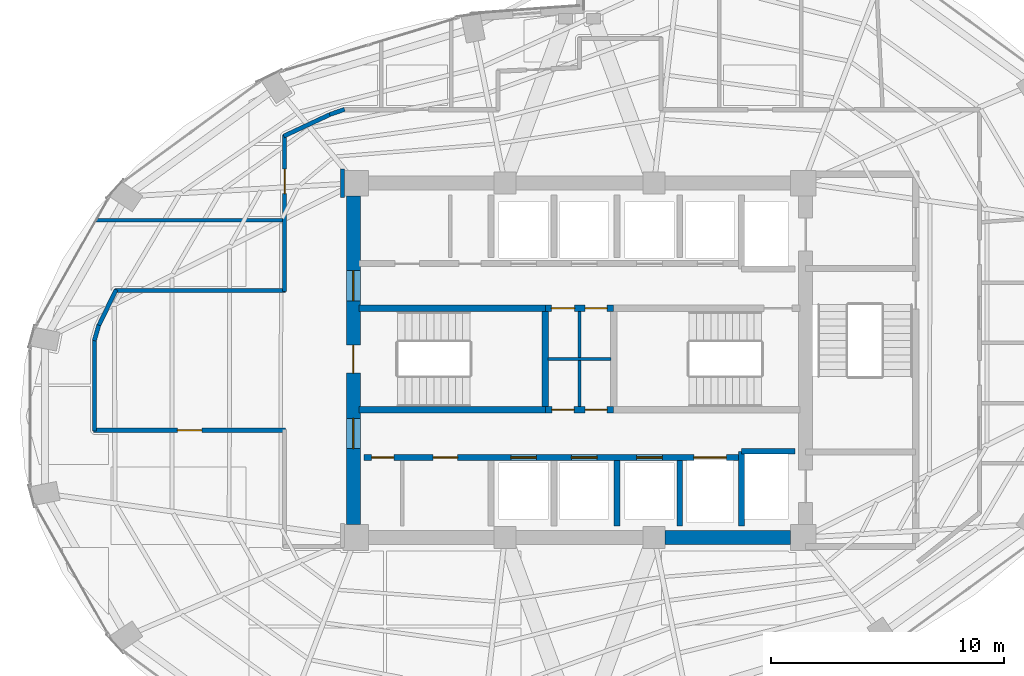
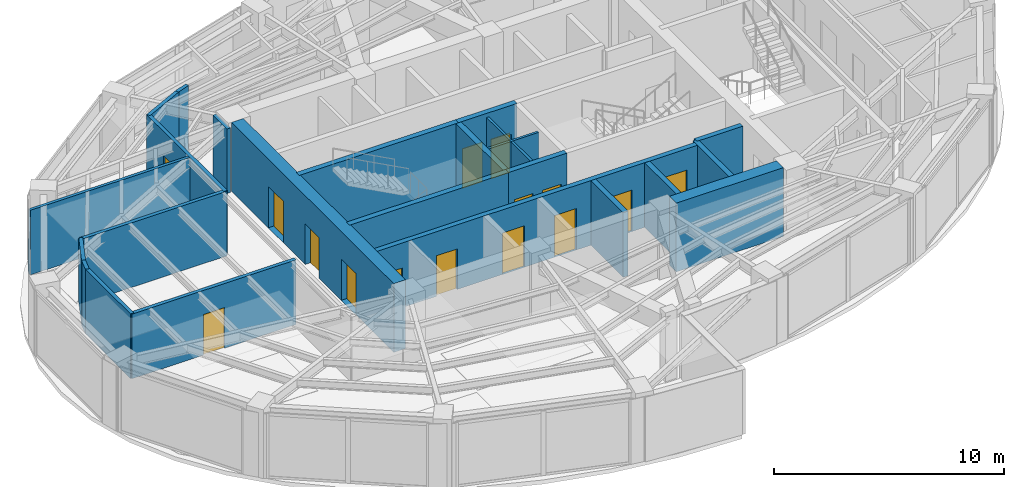
# One storey, part 16 of 20: 24 walls, 15 doors, 15 openings.
"""IFC4 building model written with IfcOpenShell, lengths in metres."""

from ifc_helpers import new_model, si_unit, direction, frame, frame_2d, origin, place, context, subcontext, project, spatial, rectangle, extrude, material, layer, layer_set, type_object, element, fill, save


model = new_model("IFC4")

# Units and contexts
model_context = context("Model", 3, precision=1e-05, world=origin(), true_north=direction((0.0, 1.0)))
body_context = subcontext(model_context, "Body", "Model", "MODEL_VIEW")
ifc_project = project(units=[si_unit("LENGTHUNIT", "METRE"), si_unit("AREAUNIT", "SQUARE_METRE"), si_unit("VOLUMEUNIT", "CUBIC_METRE"), si_unit("PLANEANGLEUNIT", "RADIAN"), si_unit("MASSUNIT", "GRAM", prefix="KILO")], contexts=[model_context])

# Site, building, storey
site_placement = place(None, origin())
site = spatial("IfcSite", under=ifc_project, at=site_placement, CompositionType="ELEMENT")
building_placement = place(site_placement, origin())
building = spatial("IfcBuilding", under=site, at=building_placement, Name="Lazwardi Medical Tower", CompositionType="ELEMENT")
storey_placement = place(building_placement, frame((0.0, 0.0, 160.176025390625)))
storey = spatial("IfcBuildingStorey", under=building, at=storey_placement, Name="L41", CompositionType="ELEMENT", Elevation=160.176025390625)

# Walls
ifc_material_1 = material(Name="Fire-rated gypsum board on steel stud", Category="steel")
ifc_layer_1 = layer(ifc_material_1, 0.179931640625)
ifc_layer_set_1 = layer_set([ifc_layer_1], Name="Fire-rated gypsum board on steel stud")
wall_type_1 = type_object("IfcWallType", Name="WL-COR-180", PredefinedType="PARTITIONING", material=ifc_layer_set_1)
wall_1_placement = place(storey_placement, frame((15.350341796875, 29.435791015625, 0.0), z_axis=(0.0, 0.0, 1.0), x_axis=(0.436196025907, 0.899851669434, 0.0)))
element("IfcWall", 1, at=wall_1_placement, inside=storey, type_object=wall_type_1, Name="L41 Corridor partition 1", PredefinedType="PARTITIONING", context=body_context, shape_type="SweptSolid", body=[
    extrude(rectangle(XDim=1.778076171875, YDim=0.179931640625, at=frame_2d((0.88916015625, 0.0))), origin(), (0.0, 0.0, 1.0), 3.427978515625),
])
wall_2_placement = place(storey_placement, frame((16.068359375, 31.0, 0.0), z_axis=(0.0, 0.0, 1.0), x_axis=(1.0, 0.0, 0.0)))
element("IfcWall", 2, at=wall_2_placement, inside=storey, type_object=wall_type_1, Name="L41 Corridor partition 2", PredefinedType="PARTITIONING", context=body_context, shape_type="SweptSolid", body=[
    extrude(rectangle(XDim=7.321533203125, YDim=0.179931640625, at=frame_2d((3.66064453125, 0.0))), origin(), (0.0, 0.0, 1.0), 3.427978515625),
])

# Wall, opening, door
wall_3_placement = place(storey_placement, frame((23.35009765625, 30.9599609375, 0.0), z_axis=(0.0, 0.0, 1.0), x_axis=(0.0, 1.0, 0.0)))
wall_3 = element("IfcWall", 3, at=wall_3_placement, inside=storey, type_object=wall_type_1, Name="L41 Corridor partition 3", PredefinedType="PARTITIONING", context=body_context, shape_type="SweptSolid", body=[
    extrude(rectangle(XDim=6.7138671875, YDim=0.179931640625, at=frame_2d((3.35693359375, 0.0))), origin(), (0.0, 0.0, 1.0), 3.427978515625),
])
opening_1_placement = place(wall_3_placement, frame((4.19287109375, 0.0, 0.0)))
opening_1 = element("IfcOpeningElement", 4, at=opening_1_placement, cuts=wall_3, Name="Opening D-L41-023", PredefinedType="OPENING", context=body_context, shape_type="SweptSolid", body=[
    extrude(rectangle(XDim=1.050048828125, YDim=2.14990234375, at=frame_2d((0.52490234375, 1.074951171875))), frame((0.0, 0.099853515625, 0.0), z_axis=(0.0, -1.0, 0.0), x_axis=(1.0, 0.0, 0.0)), (0.0, 0.0, 1.0), 0.199951171875),
])
ifc_material_2 = material(Name="Anti-microbial laminate hospital leaf")
door_type_1 = type_object("IfcDoorType", Name="DR-CLN-1050", OperationType="NOTDEFINED", PredefinedType="DOOR", material=ifc_material_2)
door_1_placement = place(opening_1_placement, origin())
door_1 = element("IfcDoor", 5, at=door_1_placement, inside=storey, type_object=door_type_1, Name="L41 Outpatient Consultation Suite Door 11", OperationType="SINGLE_SWING_RIGHT", OverallHeight=2.14990234375, OverallWidth=1.050048828125, PredefinedType="DOOR", context=body_context, shape_type="SweptSolid", body=[
    extrude(rectangle(XDim=1.050048828125, YDim=2.14990234375, at=frame_2d((0.52490234375, 1.074951171875))), frame((0.0, 0.02490234375, 0.0), z_axis=(0.0, -1.0, 0.0), x_axis=(1.0, 0.0, 0.0)), (0.0, 0.0, 1.0), 0.050048828125),
])
fill(opening_1, door_1)

# Walls
wall_4_placement = place(storey_placement, frame((23.313720703125, 37.616943359375, 0.0), z_axis=(0.0, 0.0, 1.0), x_axis=(0.905731790856, 0.423851298255, 0.0)))
element("IfcWall", 6, at=wall_4_placement, inside=storey, type_object=wall_type_1, Name="L41 Corridor partition 4", PredefinedType="PARTITIONING", context=body_context, shape_type="SweptSolid", body=[
    extrude(rectangle(XDim=2.255126953125, YDim=0.179931640625, at=frame_2d((1.12744140625, 0.0))), origin(), (0.0, 0.0, 1.0), 3.427978515625),
])
wall_5_placement = place(storey_placement, frame((25.2822265625, 38.54248046875, 0.0), z_axis=(0.0, 0.0, 1.0), x_axis=(0.94508059942, 0.326837361085, 0.0)))
element("IfcWall", 7, at=wall_5_placement, inside=storey, type_object=wall_type_1, Name="L41 Corridor partition 5", PredefinedType="PARTITIONING", context=body_context, shape_type="SweptSolid", body=[
    extrude(rectangle(XDim=0.67529296875, YDim=0.179931640625, at=frame_2d((0.337646484375, 0.0))), origin(), (0.0, 0.0, 1.0), 3.427978515625),
])
wall_6_placement = place(storey_placement, frame((25.830078125, 36.2099609375, 0.0), z_axis=(0.0, 0.0, 1.0), x_axis=(0.0, -1.0, 0.0)))
element("IfcWall", 8, at=wall_6_placement, inside=storey, type_object=wall_type_1, Name="L41 Corridor partition 15", PredefinedType="PARTITIONING", context=body_context, shape_type="SweptSolid", body=[
    extrude(rectangle(XDim=1.219970703125, YDim=0.179931640625, at=frame_2d((0.60986328125, 0.0))), origin(), (0.0, 0.0, 1.0), 3.427978515625),
])

# Wall, opening, door
wall_7_placement = place(storey_placement, frame((23.389892578125, 25.0, 0.0), z_axis=(0.0, 0.0, 1.0), x_axis=(-1.0, 0.0, 0.0)))
wall_7 = element("IfcWall", 9, at=wall_7_placement, inside=storey, type_object=wall_type_1, Name="L41 Corridor partition 19", PredefinedType="PARTITIONING", context=body_context, shape_type="SweptSolid", body=[
    extrude(rectangle(XDim=8.22998046875, YDim=0.179931640625, at=frame_2d((4.114990234375, 0.0))), origin(), (0.0, 0.0, 1.0), 3.427978515625),
])
opening_2_placement = place(wall_7_placement, frame((3.590087890625, 0.0, 0.0)))
opening_2 = element("IfcOpeningElement", 10, at=opening_2_placement, cuts=wall_7, Name="Opening D-L41-013", PredefinedType="OPENING", context=body_context, shape_type="SweptSolid", body=[
    extrude(rectangle(XDim=1.050048828125, YDim=2.14990234375, at=frame_2d((0.52490234375, 1.074951171875))), frame((0.0, 0.099853515625, 0.0), z_axis=(0.0, -1.0, 0.0), x_axis=(1.0, 0.0, 0.0)), (0.0, 0.0, 1.0), 0.199951171875),
])
door_2_placement = place(opening_2_placement, origin())
door_2 = element("IfcDoor", 11, at=door_2_placement, inside=storey, type_object=door_type_1, Name="L41 Outpatient Consultation Suite Door 01", OperationType="SINGLE_SWING_RIGHT", OverallHeight=2.14990234375, OverallWidth=1.050048828125, PredefinedType="DOOR", context=body_context, shape_type="SweptSolid", body=[
    extrude(rectangle(XDim=1.050048828125, YDim=2.14990234375, at=frame_2d((0.52490234375, 1.074951171875))), frame((0.0, 0.02490234375, 0.0), z_axis=(0.0, -1.0, 0.0), x_axis=(1.0, 0.0, 0.0)), (0.0, 0.0, 1.0), 0.050048828125),
])
fill(opening_2, door_2)

# Walls
wall_8_placement = place(storey_placement, frame((15.199951171875, 24.9599609375, 0.0), z_axis=(0.0, 0.0, 1.0), x_axis=(0.0, 1.0, 0.0)))
element("IfcWall", 12, at=wall_8_placement, inside=storey, type_object=wall_type_1, Name="L41 Corridor partition 20", PredefinedType="PARTITIONING", context=body_context, shape_type="SweptSolid", body=[
    extrude(rectangle(XDim=3.961181640625, YDim=0.179931640625, at=frame_2d((1.98046875, 0.0))), origin(), (0.0, 0.0, 1.0), 3.427978515625),
])
wall_9_placement = place(storey_placement, frame((15.189208984375, 28.842529296875, 0.0), z_axis=(0.0, 0.0, 1.0), x_axis=(0.272862960331, 0.962052911684, 0.0)))
element("IfcWall", 13, at=wall_9_placement, inside=storey, type_object=wall_type_1, Name="L41 Corridor partition 21", PredefinedType="PARTITIONING", context=body_context, shape_type="SweptSolid", body=[
    extrude(rectangle(XDim=0.6943359375, YDim=0.179931640625, at=frame_2d((0.34716796875, 0.0))), origin(), (0.0, 0.0, 1.0), 3.427978515625),
])

# Wall, openings, doors
ifc_material_3 = material(Name="Concrete C60/75", Category="concrete")
ifc_layer_2 = layer(ifc_material_3, 0.60009765625)
ifc_layer_set_2 = layer_set([ifc_layer_2], Name="Concrete C60/75")
wall_type_2 = type_object("IfcWallType", Name="WL-CORE-600", PredefinedType="SHEAR", material=ifc_layer_set_2)
wall_10_placement = place(storey_placement, frame((26.300048828125, 20.949951171875, 0.0), z_axis=(0.0, 0.0, 1.0), x_axis=(0.0, 1.0, 0.0)))
wall_10 = element("IfcWall", 14, at=wall_10_placement, inside=storey, type_object=wall_type_2, Name="Core wall CW-S3 west L41", PredefinedType="SHEAR", context=body_context, shape_type="SweptSolid", body=[
    extrude(rectangle(XDim=14.10009765625, YDim=0.60009765625, at=frame_2d((7.050048828125, 0.0))), origin(), (0.0, 0.0, 1.0), 3.64794921875),
])
opening_3_placement = place(wall_10_placement, frame((6.5, 0.0, 0.0)))
opening_3 = element("IfcOpeningElement", 15, at=opening_3_placement, cuts=wall_10, Name="Opening D-L41-024", PredefinedType="OPENING", context=body_context, shape_type="SweptSolid", body=[
    extrude(rectangle(XDim=1.199951171875, YDim=2.14990234375, at=frame_2d((0.60009765625, 1.074951171875))), frame((0.0, 0.31005859375, 0.0), z_axis=(0.0, -1.0, 0.0), x_axis=(1.0, 0.0, 0.0)), (0.0, 0.0, 1.0), 0.6201171875),
])
opening_4_placement = place(wall_10_placement, frame((9.60009765625, 0.0, 0.0)))
opening_4 = element("IfcOpeningElement", 16, at=opening_4_placement, cuts=wall_10, Name="Opening D-L41-011", PredefinedType="OPENING", context=body_context, shape_type="SweptSolid", body=[
    extrude(rectangle(XDim=1.300048828125, YDim=2.199951171875, at=frame_2d((0.64990234375, 1.10009765625))), frame((0.0, 0.31005859375, 0.0), z_axis=(0.0, -1.0, 0.0), x_axis=(1.0, 0.0, 0.0)), (0.0, 0.0, 1.0), 0.6201171875),
])
opening_5_placement = place(wall_10_placement, frame((3.260009765625, 0.0, 0.0)))
opening_5 = element("IfcOpeningElement", 17, at=opening_5_placement, cuts=wall_10, Name="Opening D-L41-012", PredefinedType="OPENING", context=body_context, shape_type="SweptSolid", body=[
    extrude(rectangle(XDim=1.300048828125, YDim=2.199951171875, at=frame_2d((0.64990234375, 1.10009765625))), frame((0.0, 0.31005859375, 0.0), z_axis=(0.0, -1.0, 0.0), x_axis=(1.0, 0.0, 0.0)), (0.0, 0.0, 1.0), 0.6201171875),
])
ifc_material_4 = material(Name="Fire-rated steel leaf and frame", Category="steel")
door_type_2 = type_object("IfcDoorType", Name="DR-FFL-1300", OperationType="NOTDEFINED", PredefinedType="DOOR", material=ifc_material_4)
door_3_placement = place(opening_4_placement, origin())
door_3 = element("IfcDoor", 18, at=door_3_placement, inside=storey, type_object=door_type_2, Name="L41 North Lift Lobby Door", OperationType="SINGLE_SWING_LEFT", OverallHeight=2.199951171875, OverallWidth=1.300048828125, PredefinedType="DOOR", context=body_context, shape_type="SweptSolid", body=[
    extrude(rectangle(XDim=1.300048828125, YDim=2.199951171875, at=frame_2d((0.64990234375, 1.10009765625))), frame((0.0, 0.02490234375, 0.0), z_axis=(0.0, -1.0, 0.0), x_axis=(1.0, 0.0, 0.0)), (0.0, 0.0, 1.0), 0.050048828125),
])
fill(opening_4, door_3)
door_4_placement = place(opening_5_placement, origin())
door_4 = element("IfcDoor", 19, at=door_4_placement, inside=storey, type_object=door_type_2, Name="L41 South Lift Lobby Door", OperationType="SINGLE_SWING_RIGHT", OverallHeight=2.199951171875, OverallWidth=1.300048828125, PredefinedType="DOOR", context=body_context, shape_type="SweptSolid", body=[
    extrude(rectangle(XDim=1.300048828125, YDim=2.199951171875, at=frame_2d((0.64990234375, 1.10009765625))), frame((0.0, 0.02490234375, 0.0), z_axis=(0.0, -1.0, 0.0), x_axis=(1.0, 0.0, 0.0)), (0.0, 0.0, 1.0), 0.050048828125),
])
fill(opening_5, door_4)
door_type_3 = type_object("IfcDoorType", Name="DR-STR-1200", OperationType="NOTDEFINED", PredefinedType="DOOR", material=ifc_material_4)
door_5_placement = place(opening_3_placement, origin())
door_5 = element("IfcDoor", 20, at=door_5_placement, inside=storey, type_object=door_type_3, Name="L41 Exit Stair ST1 Door", OperationType="SINGLE_SWING_LEFT", OverallHeight=2.14990234375, OverallWidth=1.199951171875, PredefinedType="DOOR", context=body_context, shape_type="SweptSolid", body=[
    extrude(rectangle(XDim=1.199951171875, YDim=2.14990234375, at=frame_2d((0.60009765625, 1.074951171875))), frame((0.0, 0.02490234375, 0.0), z_axis=(0.0, -1.0, 0.0), x_axis=(1.0, 0.0, 0.0)), (0.0, 0.0, 1.0), 0.050048828125),
])
fill(opening_3, door_5)

# Walls
wall_11_placement = place(storey_placement, frame((39.675048828125, 20.39990234375, 0.0), z_axis=(0.0, 0.0, 1.0), x_axis=(1.0, 0.0, 0.0)))
element("IfcWall", 21, at=wall_11_placement, inside=storey, type_object=wall_type_2, Name="Core wall CW-S3 S3 L41", PredefinedType="SHEAR", context=body_context, shape_type="SweptSolid", body=[
    extrude(rectangle(XDim=5.375, YDim=0.60009765625, at=frame_2d((2.6875, 0.0))), origin(), (0.0, 0.0, 1.0), 3.64794921875),
])
ifc_material_5 = material(Name="Moisture-resistant gypsum board partition")
ifc_layer_3 = layer(ifc_material_5, 0.125)
ifc_layer_set_3 = layer_set([ifc_layer_3], Name="Moisture-resistant gypsum board partition")
wall_type_3 = type_object("IfcWallType", Name="WL-ENS-125", PredefinedType="PARTITIONING", material=ifc_layer_set_3)
wall_12_placement = place(storey_placement, frame((34.64990234375, 28.06005859375, 0.0), z_axis=(0.0, 0.0, 1.0), x_axis=(1.0, 0.0, 0.0)))
element("IfcWall", 22, at=wall_12_placement, inside=storey, type_object=wall_type_3, Name="L41 Core 4-way H divider", PredefinedType="PARTITIONING", context=body_context, shape_type="SweptSolid", body=[
    extrude(rectangle(XDim=2.7001953125, YDim=0.125, at=frame_2d((1.35009765625, 0.0))), origin(), (0.0, 0.0, 1.0), 3.427978515625),
])
wall_13_placement = place(storey_placement, frame((36.0, 26.02001953125, 0.0), z_axis=(0.0, 0.0, 1.0), x_axis=(0.0, 1.0, 0.0)))
element("IfcWall", 23, at=wall_13_placement, inside=storey, type_object=wall_type_3, Name="L41 Core 4-way V divider", PredefinedType="PARTITIONING", context=body_context, shape_type="SweptSolid", body=[
    extrude(rectangle(XDim=4.080078125, YDim=0.125, at=frame_2d((2.0400390625, 0.0))), origin(), (0.0, 0.0, 1.0), 3.427978515625),
])

# Wall, openings, doors
ifc_material_6 = material(Name="Autoclaved aerated concrete blockwork", Category="masonry")
ifc_layer_4 = layer(ifc_material_6, 0.25)
ifc_layer_set_4 = layer_set([ifc_layer_4], Name="Autoclaved aerated concrete blockwork")
wall_type_4 = type_object("IfcWallType", Name="WL-SHAFT-250", PredefinedType="SOLIDWALL", material=ifc_layer_set_4)
wall_14_placement = place(storey_placement, frame((26.75, 23.830078125, 0.0), z_axis=(0.0, 0.0, 1.0), x_axis=(1.0, 0.0, 0.0)))
wall_14 = element("IfcWall", 24, at=wall_14_placement, inside=storey, type_object=wall_type_4, Name="L41 South lift bank front wall", PredefinedType="SOLIDWALL", context=body_context, shape_type="SweptSolid", body=[
    extrude(rectangle(XDim=16.199951171875, YDim=0.25, at=frame_2d((8.10009765625, 0.0))), origin(), (0.0, 0.0, 1.0), 3.427978515625),
])
opening_6_placement = place(wall_14_placement, frame((0.3349609375, 0.0, 0.0)))
opening_6 = element("IfcOpeningElement", 25, at=opening_6_placement, cuts=wall_14, Name="Opening D-L41-007", PredefinedType="OPENING", context=body_context, shape_type="SweptSolid", body=[
    extrude(rectangle(XDim=0.949951171875, YDim=2.10009765625, at=frame_2d((0.47509765625, 1.050048828125))), frame((0.0, 0.135009765625, 0.0), z_axis=(0.0, -1.0, 0.0), x_axis=(1.0, 0.0, 0.0)), (0.0, 0.0, 1.0), 0.27001953125),
])
opening_7_placement = place(wall_14_placement, frame((2.97509765625, 0.0, 0.0)))
opening_7 = element("IfcOpeningElement", 26, at=opening_7_placement, cuts=wall_14, Name="Opening D-L41-008", PredefinedType="OPENING", context=body_context, shape_type="SweptSolid", body=[
    extrude(rectangle(XDim=1.050048828125, YDim=2.14990234375, at=frame_2d((0.52490234375, 1.074951171875))), frame((0.0, 0.135009765625, 0.0), z_axis=(0.0, -1.0, 0.0), x_axis=(1.0, 0.0, 0.0)), (0.0, 0.0, 1.0), 0.27001953125),
])
opening_8_placement = place(wall_14_placement, frame((6.300048828125, 0.0, 0.0)))
opening_8 = element("IfcOpeningElement", 27, at=opening_8_placement, cuts=wall_14, Name="Opening LD-L41-006", PredefinedType="OPENING", context=body_context, shape_type="SweptSolid", body=[
    extrude(rectangle(XDim=1.10009765625, YDim=2.199951171875, at=frame_2d((0.550048828125, 1.10009765625))), frame((0.0, 0.135009765625, 0.0), z_axis=(0.0, -1.0, 0.0), x_axis=(1.0, 0.0, 0.0)), (0.0, 0.0, 1.0), 0.27001953125),
])
opening_9_placement = place(wall_14_placement, frame((8.89990234375, 0.0, 0.0)))
opening_9 = element("IfcOpeningElement", 28, at=opening_9_placement, cuts=wall_14, Name="Opening LD-L41-007", PredefinedType="OPENING", context=body_context, shape_type="SweptSolid", body=[
    extrude(rectangle(XDim=1.10009765625, YDim=2.199951171875, at=frame_2d((0.550048828125, 1.10009765625))), frame((0.0, 0.135009765625, 0.0), z_axis=(0.0, -1.0, 0.0), x_axis=(1.0, 0.0, 0.0)), (0.0, 0.0, 1.0), 0.27001953125),
])
opening_10_placement = place(wall_14_placement, frame((11.699951171875, 0.0, 0.0)))
opening_10 = element("IfcOpeningElement", 29, at=opening_10_placement, cuts=wall_14, Name="Opening LD-L41-010", PredefinedType="OPENING", context=body_context, shape_type="SweptSolid", body=[
    extrude(rectangle(XDim=1.10009765625, YDim=2.199951171875, at=frame_2d((0.550048828125, 1.10009765625))), frame((0.0, 0.135009765625, 0.0), z_axis=(0.0, -1.0, 0.0), x_axis=(1.0, 0.0, 0.0)), (0.0, 0.0, 1.0), 0.27001953125),
])
opening_11_placement = place(wall_14_placement, frame((14.14990234375, 0.0, 0.0)))
opening_11 = element("IfcOpeningElement", 30, at=opening_11_placement, cuts=wall_14, Name="Opening LD-L41-003", PredefinedType="OPENING", context=body_context, shape_type="SweptSolid", body=[
    extrude(rectangle(XDim=1.39990234375, YDim=2.300048828125, at=frame_2d((0.699951171875, 1.14990234375))), frame((0.0, 0.135009765625, 0.0), z_axis=(0.0, -1.0, 0.0), x_axis=(1.0, 0.0, 0.0)), (0.0, 0.0, 1.0), 0.27001953125),
])
door_6_placement = place(opening_7_placement, origin())
door_6 = element("IfcDoor", 31, at=door_6_placement, inside=storey, type_object=door_type_1, Name="L41 Medication Door", OperationType="SINGLE_SWING_RIGHT", OverallHeight=2.14990234375, OverallWidth=1.050048828125, PredefinedType="DOOR", context=body_context, shape_type="SweptSolid", body=[
    extrude(rectangle(XDim=1.050048828125, YDim=2.14990234375, at=frame_2d((0.52490234375, 1.074951171875))), frame((0.0, 0.02490234375, 0.0), z_axis=(0.0, -1.0, 0.0), x_axis=(1.0, 0.0, 0.0)), (0.0, 0.0, 1.0), 0.050048828125),
])
fill(opening_7, door_6)
ifc_material_7 = material(Name="Moisture-resistant laminate door leaf")
door_type_4 = type_object("IfcDoorType", Name="DR-ENS-950", OperationType="NOTDEFINED", PredefinedType="DOOR", material=ifc_material_7)
door_7_placement = place(opening_6_placement, origin())
door_7 = element("IfcDoor", 32, at=door_7_placement, inside=storey, type_object=door_type_4, Name="L41 Utility Door", OperationType="SINGLE_SWING_LEFT", OverallHeight=2.10009765625, OverallWidth=0.949951171875, PredefinedType="DOOR", context=body_context, shape_type="SweptSolid", body=[
    extrude(rectangle(XDim=0.949951171875, YDim=2.10009765625, at=frame_2d((0.47509765625, 1.050048828125))), frame((0.0, 0.02490234375, 0.0), z_axis=(0.0, -1.0, 0.0), x_axis=(1.0, 0.0, 0.0)), (0.0, 0.0, 1.0), 0.050048828125),
])
fill(opening_6, door_7)
ifc_material_8 = material(Name="Brushed bronze stainless steel landing door", Category="steel")
door_type_5 = type_object("IfcDoorType", Name="DR-LFT-1100", OperationType="NOTDEFINED", PredefinedType="DOOR", material=ifc_material_8)
door_8_placement = place(opening_8_placement, origin())
door_8 = element("IfcDoor", 33, at=door_8_placement, inside=storey, type_object=door_type_5, Name="L41 Lift Landing Door PL-07", OperationType="SLIDING_TO_LEFT", OverallHeight=2.199951171875, OverallWidth=1.10009765625, PredefinedType="DOOR", context=body_context, shape_type="SweptSolid", body=[
    extrude(rectangle(XDim=1.10009765625, YDim=2.199951171875, at=frame_2d((0.550048828125, 1.10009765625))), frame((0.0, 0.02490234375, 0.0), z_axis=(0.0, -1.0, 0.0), x_axis=(1.0, 0.0, 0.0)), (0.0, 0.0, 1.0), 0.050048828125),
])
fill(opening_8, door_8)
door_9_placement = place(opening_9_placement, origin())
door_9 = element("IfcDoor", 34, at=door_9_placement, inside=storey, type_object=door_type_5, Name="L41 Lift Landing Door PL-08", OperationType="SLIDING_TO_LEFT", OverallHeight=2.199951171875, OverallWidth=1.10009765625, PredefinedType="DOOR", context=body_context, shape_type="SweptSolid", body=[
    extrude(rectangle(XDim=1.10009765625, YDim=2.199951171875, at=frame_2d((0.550048828125, 1.10009765625))), frame((0.0, 0.02490234375, 0.0), z_axis=(0.0, -1.0, 0.0), x_axis=(1.0, 0.0, 0.0)), (0.0, 0.0, 1.0), 0.050048828125),
])
fill(opening_9, door_9)
door_10_placement = place(opening_10_placement, origin())
door_10 = element("IfcDoor", 35, at=door_10_placement, inside=storey, type_object=door_type_5, Name="L41 Lift Landing Door PL-11", OperationType="SLIDING_TO_LEFT", OverallHeight=2.199951171875, OverallWidth=1.10009765625, PredefinedType="DOOR", context=body_context, shape_type="SweptSolid", body=[
    extrude(rectangle(XDim=1.10009765625, YDim=2.199951171875, at=frame_2d((0.550048828125, 1.10009765625))), frame((0.0, 0.02490234375, 0.0), z_axis=(0.0, -1.0, 0.0), x_axis=(1.0, 0.0, 0.0)), (0.0, 0.0, 1.0), 0.050048828125),
])
fill(opening_10, door_10)
ifc_material_9 = material(Name="Brushed stainless steel bed-lift landing door", Category="steel")
door_type_6 = type_object("IfcDoorType", Name="DR-LFT-1400", OperationType="NOTDEFINED", PredefinedType="DOOR", material=ifc_material_9)
door_11_placement = place(opening_11_placement, origin())
door_11 = element("IfcDoor", 36, at=door_11_placement, inside=storey, type_object=door_type_6, Name="L41 Lift Landing Door FL-03", OperationType="SLIDING_TO_LEFT", OverallHeight=2.300048828125, OverallWidth=1.39990234375, PredefinedType="DOOR", context=body_context, shape_type="SweptSolid", body=[
    extrude(rectangle(XDim=1.39990234375, YDim=2.300048828125, at=frame_2d((0.699951171875, 1.14990234375))), frame((0.0, 0.02490234375, 0.0), z_axis=(0.0, -1.0, 0.0), x_axis=(1.0, 0.0, 0.0)), (0.0, 0.0, 1.0), 0.050048828125),
])
fill(opening_11, door_11)

# Walls
wall_15_placement = place(storey_placement, frame((42.949951171875, 20.89990234375, 0.0), z_axis=(0.0, 0.0, 1.0), x_axis=(0.0, 1.0, 0.0)))
element("IfcWall", 37, at=wall_15_placement, inside=storey, type_object=wall_type_4, Name="L41 FL-02 West shaft wall", PredefinedType="SOLIDWALL", context=body_context, shape_type="SweptSolid", body=[
    extrude(rectangle(XDim=3.2001953125, YDim=0.25, at=frame_2d((1.60009765625, 0.0))), origin(), (0.0, 0.0, 1.0), 3.427978515625),
])
wall_16_placement = place(storey_placement, frame((42.949951171875, 24.10009765625, 0.0), z_axis=(0.0, 0.0, 1.0), x_axis=(1.0, 0.0, 0.0)))
element("IfcWall", 38, at=wall_16_placement, inside=storey, type_object=wall_type_4, Name="L41 FL-02 North shaft wall", PredefinedType="SOLIDWALL", context=body_context, shape_type="SweptSolid", body=[
    extrude(rectangle(XDim=2.300048828125, YDim=0.25, at=frame_2d((1.14990234375, 0.0))), origin(), (0.0, 0.0, 1.0), 3.427978515625),
])
for number, where, z_axis, x_axis, name in (
    (39, (37.60009765625, 20.89990234375, 0.0), (0.0, 0.0, 1.0), (0.0, 1.0, 0.0), "L41 South hoistway divider"),
    (40, (40.300048828125, 20.89990234375, 0.0), (0.0, 0.0, 1.0), (0.0, 1.0, 0.0), "L41 South hoistway divider"),
):
    element("IfcWall", number, at=place(storey_placement, frame(where, z_axis=z_axis, x_axis=x_axis)), inside=storey, type_object=wall_type_4, Name=name, PredefinedType="SOLIDWALL", context=body_context, shape_type="SweptSolid", body=[
        extrude(rectangle(XDim=2.800048828125, YDim=0.25, at=frame_2d((1.39990234375, 0.0))), origin(), (0.0, 0.0, 1.0), 3.427978515625),
    ])
ifc_material_10 = material(Name="Concrete C50/60", Category="concrete")
ifc_layer_5 = layer(ifc_material_10, 0.27001953125)
ifc_layer_set_5 = layer_set([ifc_layer_5], Name="Concrete C50/60")
wall_type_5 = type_object("IfcWallType", Name="WL-STR-250", PredefinedType="SHEAR", material=ifc_layer_set_5)
wall_17_placement = place(storey_placement, frame((26.550048828125, 30.235107421875, 0.0), z_axis=(0.0, 0.0, 1.0), x_axis=(1.0, 0.0, 0.0)))
element("IfcWall", 41, at=wall_17_placement, inside=storey, type_object=wall_type_5, Name="L41 ST1 North shear shaft wall SW-S1", PredefinedType="SHEAR", context=body_context, shape_type="SweptSolid", body=[
    extrude(rectangle(XDim=7.98486328125, YDim=0.27001953125, at=frame_2d((3.992431640625, 0.0))), origin(), (0.0, 0.0, 1.0), 3.64794921875),
])

# Wall, openings, doors
wall_18_placement = place(storey_placement, frame((34.534912109375, 30.235107421875, 0.0), z_axis=(0.0, 0.0, 1.0), x_axis=(1.0, 0.0, 0.0)))
wall_18 = element("IfcWall", 42, at=wall_18_placement, inside=storey, type_object=wall_type_5, Name="L41 Core service North shear wall SW-S1", PredefinedType="SHEAR", context=body_context, shape_type="SweptSolid", body=[
    extrude(rectangle(XDim=2.93017578125, YDim=0.27001953125, at=frame_2d((1.465087890625, 0.0))), origin(), (0.0, 0.0, 1.0), 3.64794921875),
])
opening_12_placement = place(wall_18_placement, frame((0.2548828125, 0.0, 0.0)))
opening_12 = element("IfcOpeningElement", 43, at=opening_12_placement, cuts=wall_18, Name="Opening D-L41-003", PredefinedType="OPENING", context=body_context, shape_type="SweptSolid", body=[
    extrude(rectangle(XDim=1.0, YDim=2.10009765625, at=frame_2d((0.5, 1.050048828125))), frame((0.0, 0.14501953125, 0.0), z_axis=(0.0, -1.0, 0.0), x_axis=(1.0, 0.0, 0.0)), (0.0, 0.0, 1.0), 0.2900390625),
])
opening_13_placement = place(wall_18_placement, frame((1.699951171875, 0.0, 0.0)))
opening_13 = element("IfcOpeningElement", 44, at=opening_13_placement, cuts=wall_18, Name="Opening D-L41-004", PredefinedType="OPENING", context=body_context, shape_type="SweptSolid", body=[
    extrude(rectangle(XDim=0.949951171875, YDim=2.10009765625, at=frame_2d((0.47509765625, 1.050048828125))), frame((0.0, 0.14501953125, 0.0), z_axis=(0.0, -1.0, 0.0), x_axis=(1.0, 0.0, 0.0)), (0.0, 0.0, 1.0), 0.2900390625),
])
door_type_7 = type_object("IfcDoorType", Name="DR-AWC-1000", OperationType="NOTDEFINED", PredefinedType="DOOR", material=ifc_material_7)
door_12_placement = place(opening_12_placement, origin())
door_12 = element("IfcDoor", 45, at=door_12_placement, inside=storey, type_object=door_type_7, Name="L41 Accessible WC Door", OperationType="SINGLE_SWING_LEFT", OverallHeight=2.10009765625, OverallWidth=1.0, PredefinedType="DOOR", context=body_context, shape_type="SweptSolid", body=[
    extrude(rectangle(XDim=1.0, YDim=2.10009765625, at=frame_2d((0.5, 1.050048828125))), frame((0.0, 0.02490234375, 0.0), z_axis=(0.0, -1.0, 0.0), x_axis=(1.0, 0.0, 0.0)), (0.0, 0.0, 1.0), 0.050048828125),
])
fill(opening_12, door_12)
door_13_placement = place(opening_13_placement, origin())
door_13 = element("IfcDoor", 46, at=door_13_placement, inside=storey, type_object=door_type_4, Name="L41 Clean Utility Door", OperationType="SINGLE_SWING_RIGHT", OverallHeight=2.10009765625, OverallWidth=0.949951171875, PredefinedType="DOOR", context=body_context, shape_type="SweptSolid", body=[
    extrude(rectangle(XDim=0.949951171875, YDim=2.10009765625, at=frame_2d((0.47509765625, 1.050048828125))), frame((0.0, 0.02490234375, 0.0), z_axis=(0.0, -1.0, 0.0), x_axis=(1.0, 0.0, 0.0)), (0.0, 0.0, 1.0), 0.050048828125),
])
fill(opening_13, door_13)

# Wall
wall_19_placement = place(storey_placement, frame((26.550048828125, 25.885009765625, 0.0), z_axis=(0.0, 0.0, 1.0), x_axis=(1.0, 0.0, 0.0)))
element("IfcWall", 47, at=wall_19_placement, inside=storey, type_object=wall_type_5, Name="L41 ST1 South shear shaft wall SW-S1", PredefinedType="SHEAR", context=body_context, shape_type="SweptSolid", body=[
    extrude(rectangle(XDim=7.98486328125, YDim=0.27001953125, at=frame_2d((3.992431640625, 0.0))), origin(), (0.0, 0.0, 1.0), 3.64794921875),
])

# Wall, openings, doors
wall_20_placement = place(storey_placement, frame((34.534912109375, 25.885009765625, 0.0), z_axis=(0.0, 0.0, 1.0), x_axis=(1.0, 0.0, 0.0)))
wall_20 = element("IfcWall", 48, at=wall_20_placement, inside=storey, type_object=wall_type_5, Name="L41 Core service South shear wall SW-S1", PredefinedType="SHEAR", context=body_context, shape_type="SweptSolid", body=[
    extrude(rectangle(XDim=2.93017578125, YDim=0.27001953125, at=frame_2d((1.465087890625, 0.0))), origin(), (0.0, 0.0, 1.0), 3.64794921875),
])
opening_14_placement = place(wall_20_placement, frame((0.280029296875, 0.0, 0.0)))
opening_14 = element("IfcOpeningElement", 49, at=opening_14_placement, cuts=wall_20, Name="Opening D-L41-001", PredefinedType="OPENING", context=body_context, shape_type="SweptSolid", body=[
    extrude(rectangle(XDim=0.949951171875, YDim=2.10009765625, at=frame_2d((0.47509765625, 1.050048828125))), frame((0.0, 0.14501953125, 0.0), z_axis=(0.0, -1.0, 0.0), x_axis=(1.0, 0.0, 0.0)), (0.0, 0.0, 1.0), 0.2900390625),
])
opening_15_placement = place(wall_20_placement, frame((1.699951171875, 0.0, 0.0)))
opening_15 = element("IfcOpeningElement", 50, at=opening_15_placement, cuts=wall_20, Name="Opening D-L41-002", PredefinedType="OPENING", context=body_context, shape_type="SweptSolid", body=[
    extrude(rectangle(XDim=0.949951171875, YDim=2.10009765625, at=frame_2d((0.47509765625, 1.050048828125))), frame((0.0, 0.14501953125, 0.0), z_axis=(0.0, -1.0, 0.0), x_axis=(1.0, 0.0, 0.0)), (0.0, 0.0, 1.0), 0.2900390625),
])
door_14_placement = place(opening_14_placement, origin())
door_14 = element("IfcDoor", 51, at=door_14_placement, inside=storey, type_object=door_type_4, Name="L41 Staff WC Door", OperationType="SINGLE_SWING_LEFT", OverallHeight=2.10009765625, OverallWidth=0.949951171875, PredefinedType="DOOR", context=body_context, shape_type="SweptSolid", body=[
    extrude(rectangle(XDim=0.949951171875, YDim=2.10009765625, at=frame_2d((0.47509765625, 1.050048828125))), frame((0.0, 0.02490234375, 0.0), z_axis=(0.0, -1.0, 0.0), x_axis=(1.0, 0.0, 0.0)), (0.0, 0.0, 1.0), 0.050048828125),
])
fill(opening_14, door_14)
door_15_placement = place(opening_15_placement, origin())
door_15 = element("IfcDoor", 52, at=door_15_placement, inside=storey, type_object=door_type_4, Name="L41 Comms Room Door", OperationType="SINGLE_SWING_RIGHT", OverallHeight=2.10009765625, OverallWidth=0.949951171875, PredefinedType="DOOR", context=body_context, shape_type="SweptSolid", body=[
    extrude(rectangle(XDim=0.949951171875, YDim=2.10009765625, at=frame_2d((0.47509765625, 1.050048828125))), frame((0.0, 0.02490234375, 0.0), z_axis=(0.0, -1.0, 0.0), x_axis=(1.0, 0.0, 0.0)), (0.0, 0.0, 1.0), 0.050048828125),
])
fill(opening_15, door_15)

# Walls
wall_21_placement = place(storey_placement, frame((34.534912109375, 26.02001953125, 0.0), z_axis=(0.0, 0.0, 1.0), x_axis=(0.0, 1.0, 0.0)))
element("IfcWall", 53, at=wall_21_placement, inside=storey, type_object=wall_type_5, Name="L41 ST1 East shear shaft wall SW-S1", PredefinedType="SHEAR", context=body_context, shape_type="SweptSolid", body=[
    extrude(rectangle(XDim=4.080078125, YDim=0.27001953125, at=frame_2d((2.0400390625, 0.0))), origin(), (0.0, 0.0, 1.0), 3.64794921875),
])
ifc_material_11 = material(Name="Acoustic gypsum board partition")
ifc_layer_6 = layer(ifc_material_11, 0.14990234375)
ifc_layer_set_6 = layer_set([ifc_layer_6], Name="Acoustic gypsum board partition")
wall_type_6 = type_object("IfcWallType", Name="WL-WRD-150", PredefinedType="PARTITIONING", material=ifc_layer_set_6)
wall_22_placement = place(storey_placement, frame((15.260986328125, 34.0, 0.0), z_axis=(0.0, 0.0, 1.0), x_axis=(1.0, 0.0, 0.0)))
element("IfcWall", 54, at=wall_22_placement, inside=storey, type_object=wall_type_6, Name="L41 Room partition 1", PredefinedType="PARTITIONING", context=body_context, shape_type="SweptSolid", body=[
    extrude(rectangle(XDim=7.9990234375, YDim=0.14990234375, at=frame_2d((3.99951171875, 0.0))), origin(), (0.0, 0.0, 1.0), 3.427978515625),
])

save(model, "model.ifc")
